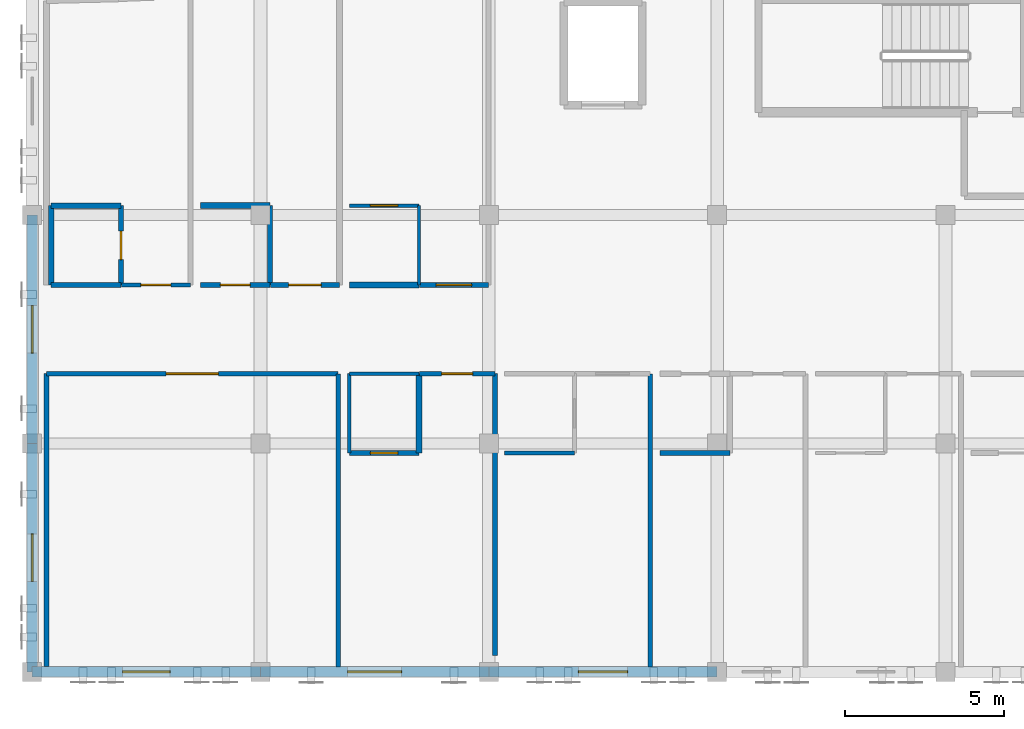
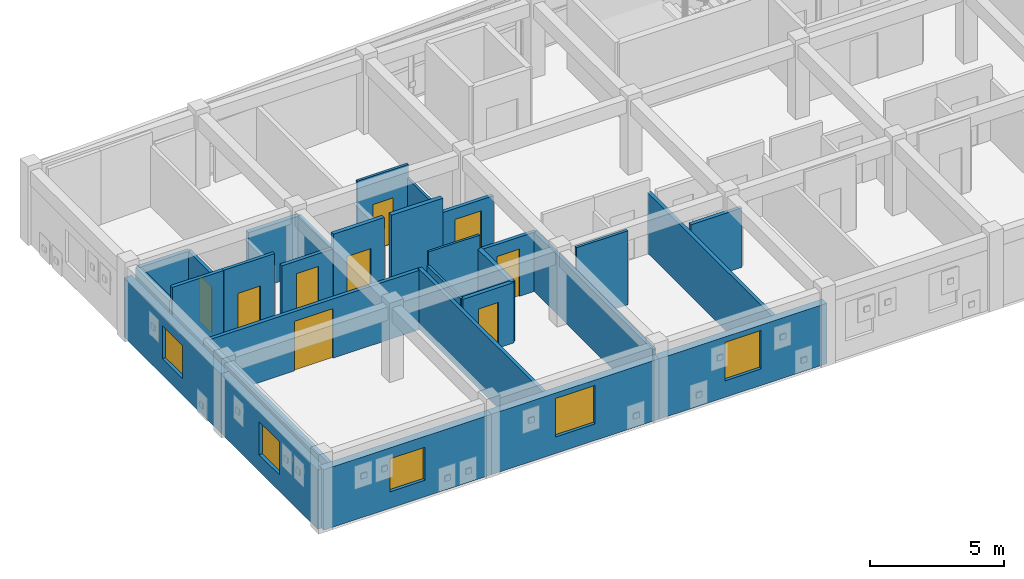
# One storey, part 33 of 45: 30 walls, 9 doors, 5 windows, 14 openings.
"""IFC4 building model written with IfcOpenShell, lengths in metres."""

from ifc_helpers import new_model, si_unit, direction, frame, frame_2d, origin, place, context, subcontext, project, spatial, rectangle, extrude, material, layer, layer_set, type_object, element, fill, save


model = new_model("IFC4")

# Units and contexts
model_context = context("Model", 3, precision=1e-05, world=origin(), true_north=direction((0.0, 1.0)))
body_context = subcontext(model_context, "Body", "Model", "MODEL_VIEW")
ifc_project = project(units=[si_unit("LENGTHUNIT", "METRE"), si_unit("AREAUNIT", "SQUARE_METRE"), si_unit("VOLUMEUNIT", "CUBIC_METRE"), si_unit("PLANEANGLEUNIT", "RADIAN"), si_unit("MASSUNIT", "GRAM", prefix="KILO")], contexts=[model_context])

# Site, building, storey
site_placement = place(None, origin())
site = spatial("IfcSite", under=ifc_project, at=site_placement, CompositionType="ELEMENT")
building_placement = place(site_placement, origin())
building = spatial("IfcBuilding", under=site, at=building_placement, Name="Carrowvane Square Congress Hotel", CompositionType="ELEMENT")
storey_placement = place(building_placement, frame((0.0, 0.0, 33.60009765625)))
storey = spatial("IfcBuildingStorey", under=building, at=storey_placement, Name="L08", CompositionType="ELEMENT", Elevation=33.60009765625)

# Wall, opening, window
ifc_material_1 = material(Name="Glazed terracotta rainscreen", Category="masonry")
ifc_layer_1 = layer(ifc_material_1, 0.330078125)
ifc_layer_set_1 = layer_set([ifc_layer_1], Name="Glazed terracotta rainscreen")
wall_type_1 = type_object("IfcWallType", Name="WL-EXT-TC330", PredefinedType="STANDARD", material=ifc_layer_set_1)
wall_1_placement = place(storey_placement, frame((54.800048828125, 91.800048828125, 0.0), z_axis=(0.0, 0.0, 1.0), x_axis=(-1.0, 0.0, 0.0)))
wall_1 = element("IfcWall", 1, at=wall_1_placement, inside=storey, type_object=wall_type_1, Name="L08 exterior facade wall 554", PredefinedType="STANDARD", context=body_context, shape_type="SweptSolid", body=[
    extrude(rectangle(XDim=7.199951171875, YDim=0.330078125, at=frame_2d((3.60009765625, 0.0))), origin(), (0.0, 0.0, 1.0), 2.744873046875),
])
opening_1_placement = place(wall_1_placement, frame((2.824951171875, 0.0, 0.75)))
opening_1 = element("IfcOpeningElement", 2, at=opening_1_placement, cuts=wall_1, Name="Opening W-23", PredefinedType="OPENING", context=body_context, shape_type="SweptSolid", body=[
    extrude(rectangle(XDim=1.550048828125, YDim=1.75, at=frame_2d((0.77490234375, 0.875))), frame((0.0, 0.175048828125, 0.0), z_axis=(0.0, -1.0, 0.0), x_axis=(1.0, 0.0, 0.0)), (0.0, 0.0, 1.0), 0.35009765625),
])
ifc_material_2 = material(Name="Double-glazed low-E glass", Category="glass")
window_type_1 = type_object("IfcWindowType", Name="WIN-23", PartitioningType="SINGLE_PANEL", PredefinedType="WINDOW", material=ifc_material_2)
window_1_placement = place(opening_1_placement, origin())
window_1 = element("IfcWindow", 3, at=window_1_placement, inside=storey, type_object=window_type_1, Name="L08 facade window 402", OverallHeight=1.75, OverallWidth=1.550048828125, PartitioningType="SINGLE_PANEL", PredefinedType="WINDOW", context=body_context, shape_type="SweptSolid", body=[
    extrude(rectangle(XDim=1.550048828125, YDim=1.75, at=frame_2d((0.77490234375, 0.875))), frame((0.0, 0.030029296875, 0.0), z_axis=(0.0, -1.0, 0.0), x_axis=(1.0, 0.0, 0.0)), (0.0, 0.0, 1.0), 0.06005859375),
])
fill(opening_1, window_1)

wall_2_placement = place(storey_placement, frame((47.60009765625, 91.800048828125, 0.0), z_axis=(0.0, 0.0, 1.0), x_axis=(-1.0, 0.0, 0.0)))
wall_2 = element("IfcWall", 4, at=wall_2_placement, inside=storey, type_object=wall_type_1, Name="L08 exterior facade wall 555", PredefinedType="STANDARD", context=body_context, shape_type="SweptSolid", body=[
    extrude(rectangle(XDim=7.2001953125, YDim=0.330078125, at=frame_2d((3.60009765625, 0.0))), origin(), (0.0, 0.0, 1.0), 2.744873046875),
])
opening_2_placement = place(wall_2_placement, frame((2.75, 0.0, 0.75)))
opening_2 = element("IfcOpeningElement", 5, at=opening_2_placement, cuts=wall_2, Name="Opening W-24", PredefinedType="OPENING", context=body_context, shape_type="SweptSolid", body=[
    extrude(rectangle(XDim=1.699951171875, YDim=1.75, at=frame_2d((0.85009765625, 0.875))), frame((0.0, 0.175048828125, 0.0), z_axis=(0.0, -1.0, 0.0), x_axis=(1.0, 0.0, 0.0)), (0.0, 0.0, 1.0), 0.35009765625),
])
ifc_material_3 = material(Name="Double-glazed low-E glass", Category="glass")
window_type_2 = type_object("IfcWindowType", Name="WIN-24", PartitioningType="SINGLE_PANEL", PredefinedType="WINDOW", material=ifc_material_3)
window_2_placement = place(opening_2_placement, origin())
window_2 = element("IfcWindow", 6, at=window_2_placement, inside=storey, type_object=window_type_2, Name="L08 facade window 403", OverallHeight=1.75, OverallWidth=1.699951171875, PartitioningType="SINGLE_PANEL", PredefinedType="WINDOW", context=body_context, shape_type="SweptSolid", body=[
    extrude(rectangle(XDim=1.699951171875, YDim=1.75, at=frame_2d((0.85009765625, 0.875))), frame((0.0, 0.030029296875, 0.0), z_axis=(0.0, -1.0, 0.0), x_axis=(1.0, 0.0, 0.0)), (0.0, 0.0, 1.0), 0.06005859375),
])
fill(opening_2, window_2)

wall_3_placement = place(storey_placement, frame((40.39990234375, 91.800048828125, 0.0), z_axis=(0.0, 0.0, 1.0), x_axis=(-1.0, 0.0, 0.0)))
wall_3 = element("IfcWall", 7, at=wall_3_placement, inside=storey, type_object=wall_type_1, Name="L08 exterior facade wall 556", PredefinedType="STANDARD", context=body_context, shape_type="SweptSolid", body=[
    extrude(rectangle(XDim=7.199951171875, YDim=0.330078125, at=frame_2d((3.60009765625, 0.0))), origin(), (0.0, 0.0, 1.0), 2.744873046875),
])
opening_3_placement = place(wall_3_placement, frame((2.85009765625, 0.0, 0.75)))
opening_3 = element("IfcOpeningElement", 8, at=opening_3_placement, cuts=wall_3, Name="Opening W-15", PredefinedType="OPENING", context=body_context, shape_type="SweptSolid", body=[
    extrude(rectangle(XDim=1.5, YDim=1.5, at=frame_2d((0.75, 0.75))), frame((0.0, 0.175048828125, 0.0), z_axis=(0.0, -1.0, 0.0), x_axis=(1.0, 0.0, 0.0)), (0.0, 0.0, 1.0), 0.35009765625),
])
ifc_material_4 = material(Name="Double-glazed low-E glass", Category="glass")
window_type_3 = type_object("IfcWindowType", Name="WIN-15", PartitioningType="SINGLE_PANEL", PredefinedType="WINDOW", material=ifc_material_4)
window_3_placement = place(opening_3_placement, origin())
window_3 = element("IfcWindow", 9, at=window_3_placement, inside=storey, type_object=window_type_3, Name="L08 facade window 404", OverallHeight=1.5, OverallWidth=1.5, PartitioningType="SINGLE_PANEL", PredefinedType="WINDOW", context=body_context, shape_type="SweptSolid", body=[
    extrude(rectangle(XDim=1.5, YDim=1.5, at=frame_2d((0.75, 0.75))), frame((0.0, 0.030029296875, 0.0), z_axis=(0.0, -1.0, 0.0), x_axis=(1.0, 0.0, 0.0)), (0.0, 0.0, 1.0), 0.06005859375),
])
fill(opening_3, window_3)

wall_4_placement = place(storey_placement, frame((33.199951171875, 91.800048828125, 0.0), z_axis=(0.0, 0.0, 1.0), x_axis=(0.0, 1.0, 0.0)))
wall_4 = element("IfcWall", 10, at=wall_4_placement, inside=storey, type_object=wall_type_1, Name="L08 exterior facade wall 557", PredefinedType="STANDARD", context=body_context, shape_type="SweptSolid", body=[
    extrude(rectangle(XDim=7.199951171875, YDim=0.330078125, at=frame_2d((3.60009765625, 0.0))), origin(), (0.0, 0.0, 1.0), 2.69482421875),
])
opening_4_placement = place(wall_4_placement, frame((2.85009765625, 0.0, 0.75)))
opening_4 = element("IfcOpeningElement", 11, at=opening_4_placement, cuts=wall_4, Name="Opening W-15", PredefinedType="OPENING", context=body_context, shape_type="SweptSolid", body=[
    extrude(rectangle(XDim=1.5, YDim=1.5, at=frame_2d((0.75, 0.75))), frame((0.0, 0.175048828125, 0.0), z_axis=(0.0, -1.0, 0.0), x_axis=(1.0, 0.0, 0.0)), (0.0, 0.0, 1.0), 0.35009765625),
])
window_4_placement = place(opening_4_placement, origin())
window_4 = element("IfcWindow", 12, at=window_4_placement, inside=storey, type_object=window_type_3, Name="L08 facade window 405", OverallHeight=1.5, OverallWidth=1.5, PartitioningType="SINGLE_PANEL", PredefinedType="WINDOW", context=body_context, shape_type="SweptSolid", body=[
    extrude(rectangle(XDim=1.5, YDim=1.5, at=frame_2d((0.75, 0.75))), frame((0.0, 0.030029296875, 0.0), z_axis=(0.0, -1.0, 0.0), x_axis=(1.0, 0.0, 0.0)), (0.0, 0.0, 1.0), 0.06005859375),
])
fill(opening_4, window_4)

wall_5_placement = place(storey_placement, frame((33.199951171875, 99.0, 0.0), z_axis=(0.0, 0.0, 1.0), x_axis=(0.0, 1.0, 0.0)))
wall_5 = element("IfcWall", 13, at=wall_5_placement, inside=storey, type_object=wall_type_1, Name="L08 exterior facade wall 558", PredefinedType="STANDARD", context=body_context, shape_type="SweptSolid", body=[
    extrude(rectangle(XDim=7.199951171875, YDim=0.330078125, at=frame_2d((3.60009765625, 0.0))), origin(), (0.0, 0.0, 1.0), 2.69482421875),
])
opening_5_placement = place(wall_5_placement, frame((2.85009765625, 0.0, 0.75)))
opening_5 = element("IfcOpeningElement", 14, at=opening_5_placement, cuts=wall_5, Name="Opening W-15", PredefinedType="OPENING", context=body_context, shape_type="SweptSolid", body=[
    extrude(rectangle(XDim=1.5, YDim=1.5, at=frame_2d((0.75, 0.75))), frame((0.0, 0.175048828125, 0.0), z_axis=(0.0, -1.0, 0.0), x_axis=(1.0, 0.0, 0.0)), (0.0, 0.0, 1.0), 0.35009765625),
])
window_5_placement = place(opening_5_placement, origin())
window_5 = element("IfcWindow", 15, at=window_5_placement, inside=storey, type_object=window_type_3, Name="L08 facade window 406", OverallHeight=1.5, OverallWidth=1.5, PartitioningType="SINGLE_PANEL", PredefinedType="WINDOW", context=body_context, shape_type="SweptSolid", body=[
    extrude(rectangle(XDim=1.5, YDim=1.5, at=frame_2d((0.75, 0.75))), frame((0.0, 0.030029296875, 0.0), z_axis=(0.0, -1.0, 0.0), x_axis=(1.0, 0.0, 0.0)), (0.0, 0.0, 1.0), 0.06005859375),
])
fill(opening_5, window_5)

# Wall, opening, door
ifc_material_5 = material(Name="Acoustic gypsum board", Category="gypsum")
ifc_layer_2 = layer(ifc_material_5, 0.155029296875)
ifc_layer_set_2 = layer_set([ifc_layer_2], Name="Acoustic gypsum board")
wall_type_2 = type_object("IfcWallType", Name="WL-FIR-155", PredefinedType="PARTITIONING", material=ifc_layer_set_2)
wall_6_placement = place(storey_placement, frame((33.64990234375, 101.199951171875, 0.0), z_axis=(0.0, 0.0, 1.0), x_axis=(1.0, 0.0, 0.0)))
wall_6 = element("IfcWall", 16, at=wall_6_placement, inside=storey, type_object=wall_type_2, Name="L08 L08 West Club Salon partition", PredefinedType="PARTITIONING", context=body_context, shape_type="SweptSolid", body=[
    extrude(rectangle(XDim=9.2001953125, YDim=0.155029296875, at=frame_2d((4.60009765625, 0.0))), origin(), (0.0, 0.0, 1.0), 2.69482421875),
])
opening_6_placement = place(wall_6_placement, frame((3.77490234375, 0.0, 0.0)))
opening_6 = element("IfcOpeningElement", 17, at=opening_6_placement, cuts=wall_6, Name="Opening ID-12", PredefinedType="OPENING", context=body_context, shape_type="SweptSolid", body=[
    extrude(rectangle(XDim=1.64990234375, YDim=2.25, at=frame_2d((0.824951171875, 1.125))), frame((0.0, 0.08740234375, 0.0), z_axis=(0.0, -1.0, 0.0), x_axis=(1.0, 0.0, 0.0)), (0.0, 0.0, 1.0), 0.175048828125),
])
ifc_material_6 = material(Name="European oak timber", Category="wood")
door_type_1 = type_object("IfcDoorType", Name="DR-INT-1650x2250", OperationType="DOUBLE_DOOR_SINGLE_SWING", PredefinedType="DOOR", material=ifc_material_6)
door_1_placement = place(opening_6_placement, origin())
door_1 = element("IfcDoor", 18, at=door_1_placement, inside=storey, type_object=door_type_1, Name="L08 L08 West Club Salon entrance door", OperationType="DOUBLE_DOOR_SINGLE_SWING", OverallHeight=2.25, OverallWidth=1.64990234375, PredefinedType="DOOR", context=body_context, shape_type="SweptSolid", body=[
    extrude(rectangle(XDim=1.64990234375, YDim=2.25, at=frame_2d((0.824951171875, 1.125))), frame((0.0, 0.02490234375, 0.0), z_axis=(0.0, -1.0, 0.0), x_axis=(1.0, 0.0, 0.0)), (0.0, 0.0, 1.0), 0.050048828125),
])
fill(opening_6, door_1)

# Walls
wall_7_placement = place(storey_placement, frame((47.7900390625, 101.199951171875, 0.0), z_axis=(0.0, 0.0, 1.0), x_axis=(0.0, -1.0, 0.0)))
element("IfcWall", 19, at=wall_7_placement, inside=storey, type_object=wall_type_2, Name="L08 Hotel Guest Bedroom 0801 partition", PredefinedType="PARTITIONING", context=body_context, shape_type="SweptSolid", body=[
    extrude(rectangle(XDim=8.8798828125, YDim=0.155029296875, at=frame_2d((4.43994140625, 0.0))), origin(), (0.0, 0.0, 1.0), 2.69482421875),
])
wall_8_placement = place(storey_placement, frame((52.68994140625, 101.199951171875, 0.0), z_axis=(0.0, 0.0, 1.0), x_axis=(0.0, -1.0, 0.0)))
element("IfcWall", 20, at=wall_8_placement, inside=storey, type_object=wall_type_2, Name="L08 Hotel Guest Bedroom 0802 partition", PredefinedType="PARTITIONING", context=body_context, shape_type="SweptSolid", body=[
    extrude(rectangle(XDim=9.239990234375, YDim=0.155029296875, at=frame_2d((4.6201171875, 0.0))), origin(), (0.0, 0.0, 1.0), 2.744873046875),
])
wall_9_placement = place(storey_placement, frame((55.199951171875, 98.699951171875, 0.0), z_axis=(0.0, 0.0, 1.0), x_axis=(-1.0, 0.0, 0.0)))
element("IfcWall", 21, at=wall_9_placement, inside=storey, type_object=wall_type_2, Name="L08 En-suite Bathroom 0803 partition", PredefinedType="PARTITIONING", context=body_context, shape_type="SweptSolid", body=[
    extrude(rectangle(XDim=2.199951171875, YDim=0.155029296875, at=frame_2d((1.10009765625, 0.0))), origin(), (0.0, 0.0, 1.0), 2.69482421875),
])

# Wall, opening, door
wall_10_placement = place(storey_placement, frame((36.0, 106.5, 0.0), z_axis=(0.0, 0.0, 1.0), x_axis=(0.0, -1.0, 0.0)))
wall_10 = element("IfcWall", 22, at=wall_10_placement, inside=storey, type_object=wall_type_2, Name="L08 En-suite Bathroom 0808 partition", PredefinedType="PARTITIONING", context=body_context, shape_type="SweptSolid", body=[
    extrude(rectangle(XDim=2.5, YDim=0.155029296875, at=frame_2d((1.25, 0.0))), origin(), (0.0, 0.0, 1.0), 2.744873046875),
])
opening_7_placement = place(wall_10_placement, frame((0.800048828125, 0.0, 0.0)))
opening_7 = element("IfcOpeningElement", 23, at=opening_7_placement, cuts=wall_10, Name="Opening ID-02", PredefinedType="OPENING", context=body_context, shape_type="SweptSolid", body=[
    extrude(rectangle(XDim=0.89990234375, YDim=2.080078125, at=frame_2d((0.449951171875, 1.0400390625))), frame((0.0, 0.08740234375, 0.0), z_axis=(0.0, -1.0, 0.0), x_axis=(1.0, 0.0, 0.0)), (0.0, 0.0, 1.0), 0.175048828125),
])
ifc_material_7 = material(Name="European oak timber", Category="wood")
door_type_2 = type_object("IfcDoorType", Name="DR-INT-0900x2080", OperationType="NOTDEFINED", PredefinedType="DOOR", material=ifc_material_7)
door_2_placement = place(opening_7_placement, origin())
door_2 = element("IfcDoor", 24, at=door_2_placement, inside=storey, type_object=door_type_2, Name="L08 En-suite Bathroom 0808 door", OperationType="SINGLE_SWING_LEFT", OverallHeight=2.080078125, OverallWidth=0.89990234375, PredefinedType="DOOR", context=body_context, shape_type="SweptSolid", body=[
    extrude(rectangle(XDim=0.89990234375, YDim=2.080078125, at=frame_2d((0.449951171875, 1.0400390625))), frame((0.0, 0.02490234375, 0.0), z_axis=(0.0, -1.0, 0.0), x_axis=(1.0, 0.0, 0.0)), (0.0, 0.0, 1.0), 0.050048828125),
])
fill(opening_7, door_2)

wall_11_placement = place(storey_placement, frame((40.699951171875, 104.0, 0.0), z_axis=(0.0, 0.0, 1.0), x_axis=(-1.0, 0.0, 0.0)))
wall_11 = element("IfcWall", 25, at=wall_11_placement, inside=storey, type_object=wall_type_2, Name="L08 En-suite Bathroom 0809 partition", PredefinedType="PARTITIONING", context=body_context, shape_type="SweptSolid", body=[
    extrude(rectangle(XDim=2.199951171875, YDim=0.155029296875, at=frame_2d((1.10009765625, 0.0))), origin(), (0.0, 0.0, 1.0), 2.69482421875),
])
opening_8_placement = place(wall_11_placement, frame((0.6298828125, 0.0, 0.0)))
opening_8 = element("IfcOpeningElement", 26, at=opening_8_placement, cuts=wall_11, Name="Opening ID-04", PredefinedType="OPENING", context=body_context, shape_type="SweptSolid", body=[
    extrude(rectangle(XDim=0.93994140625, YDim=2.1201171875, at=frame_2d((0.469970703125, 1.06005859375))), frame((0.0, 0.08740234375, 0.0), z_axis=(0.0, -1.0, 0.0), x_axis=(1.0, 0.0, 0.0)), (0.0, 0.0, 1.0), 0.175048828125),
])
ifc_material_8 = material(Name="European oak timber", Category="wood")
door_type_3 = type_object("IfcDoorType", Name="DR-INT-0940x2120", OperationType="NOTDEFINED", PredefinedType="DOOR", material=ifc_material_8)
door_3_placement = place(opening_8_placement, origin())
door_3 = element("IfcDoor", 27, at=door_3_placement, inside=storey, type_object=door_type_3, Name="L08 En-suite Bathroom 0809 door", OperationType="SINGLE_SWING_LEFT", OverallHeight=2.1201171875, OverallWidth=0.93994140625, PredefinedType="DOOR", context=body_context, shape_type="SweptSolid", body=[
    extrude(rectangle(XDim=0.93994140625, YDim=2.1201171875, at=frame_2d((0.469970703125, 1.06005859375))), frame((0.0, 0.02490234375, 0.0), z_axis=(0.0, -1.0, 0.0), x_axis=(1.0, 0.0, 0.0)), (0.0, 0.0, 1.0), 0.050048828125),
])
fill(opening_8, door_3)

wall_12_placement = place(storey_placement, frame((47.590087890625, 104.0, 0.0), z_axis=(0.0, 0.0, 1.0), x_axis=(-1.0, 0.0, 0.0)))
wall_12 = element("IfcWall", 28, at=wall_12_placement, inside=storey, type_object=wall_type_2, Name="L08 Parkview Guest Bedroom 0810 partition", PredefinedType="PARTITIONING", context=body_context, shape_type="SweptSolid", body=[
    extrude(rectangle(XDim=2.18017578125, YDim=0.155029296875, at=frame_2d((1.090087890625, 0.0))), origin(), (0.0, 0.0, 1.0), 2.69482421875),
])
opening_9_placement = place(wall_12_placement, frame((0.530029296875, 0.0, 0.0)))
opening_9 = element("IfcOpeningElement", 29, at=opening_9_placement, cuts=wall_12, Name="Opening FD-10", PredefinedType="OPENING", context=body_context, shape_type="SweptSolid", body=[
    extrude(rectangle(XDim=1.1201171875, YDim=2.199951171875, at=frame_2d((0.56005859375, 1.10009765625))), frame((0.0, 0.08740234375, 0.0), z_axis=(0.0, -1.0, 0.0), x_axis=(1.0, 0.0, 0.0)), (0.0, 0.0, 1.0), 0.175048828125),
])
ifc_material_9 = material(Name="European oak timber", Category="wood")
door_type_4 = type_object("IfcDoorType", Name="DR-FD30-1120x2200", OperationType="NOTDEFINED", PredefinedType="DOOR", material=ifc_material_9)
door_4_placement = place(opening_9_placement, origin())
door_4 = element("IfcDoor", 30, at=door_4_placement, inside=storey, type_object=door_type_4, Name="L08 Parkview Guest Bedroom 0810 entrance door", OperationType="SINGLE_SWING_RIGHT", OverallHeight=2.199951171875, OverallWidth=1.1201171875, PredefinedType="DOOR", context=body_context, shape_type="SweptSolid", body=[
    extrude(rectangle(XDim=1.1201171875, YDim=2.199951171875, at=frame_2d((0.56005859375, 1.10009765625))), frame((0.0, 0.02490234375, 0.0), z_axis=(0.0, -1.0, 0.0), x_axis=(1.0, 0.0, 0.0)), (0.0, 0.0, 1.0), 0.050048828125),
])
fill(opening_9, door_4)

# Wall
ifc_material_10 = material(Name="Acoustic gypsum board", Category="gypsum")
ifc_layer_3 = layer(ifc_material_10, 0.169921875)
ifc_layer_set_3 = layer_set([ifc_layer_3], Name="Acoustic gypsum board")
wall_type_3 = type_object("IfcWallType", Name="WL-FIR-170", PredefinedType="PARTITIONING", material=ifc_layer_set_3)
wall_13_placement = place(storey_placement, frame((33.64990234375, 91.9599609375, 0.0), z_axis=(0.0, 0.0, 1.0), x_axis=(0.0, 1.0, 0.0)))
element("IfcWall", 31, at=wall_13_placement, inside=storey, type_object=wall_type_3, Name="L08 L08 West Club Salon partition", PredefinedType="PARTITIONING", context=body_context, shape_type="SweptSolid", body=[
    extrude(rectangle(XDim=9.239990234375, YDim=0.169921875, at=frame_2d((4.6201171875, 0.0))), origin(), (0.0, 0.0, 1.0), 2.744873046875),
])

# Wall, opening, door
wall_14_placement = place(storey_placement, frame((45.39990234375, 98.699951171875, 0.0), z_axis=(0.0, 0.0, 1.0), x_axis=(-1.0, 0.0, 0.0)))
wall_14 = element("IfcWall", 32, at=wall_14_placement, inside=storey, type_object=wall_type_3, Name="L08 En-suite Bathroom 0801 partition", PredefinedType="PARTITIONING", context=body_context, shape_type="SweptSolid", body=[
    extrude(rectangle(XDim=2.199951171875, YDim=0.169921875, at=frame_2d((1.10009765625, 0.0))), origin(), (0.0, 0.0, 1.0), 2.744873046875),
])
opening_10_placement = place(wall_14_placement, frame((0.6650390625, 0.0, 0.0)))
opening_10 = element("IfcOpeningElement", 33, at=opening_10_placement, cuts=wall_14, Name="Opening ID-15", PredefinedType="OPENING", context=body_context, shape_type="SweptSolid", body=[
    extrude(rectangle(XDim=0.8701171875, YDim=2.070068359375, at=frame_2d((0.43505859375, 1.03515625))), frame((0.0, 0.094970703125, 0.0), z_axis=(0.0, -1.0, 0.0), x_axis=(1.0, 0.0, 0.0)), (0.0, 0.0, 1.0), 0.18994140625),
])
ifc_material_11 = material(Name="European oak timber", Category="wood")
door_type_5 = type_object("IfcDoorType", Name="DR-INT-0870x2070", OperationType="NOTDEFINED", PredefinedType="DOOR", material=ifc_material_11)
door_5_placement = place(opening_10_placement, origin())
door_5 = element("IfcDoor", 34, at=door_5_placement, inside=storey, type_object=door_type_5, Name="L08 En-suite Bathroom 0801 door", OperationType="SINGLE_SWING_LEFT", OverallHeight=2.070068359375, OverallWidth=0.8701171875, PredefinedType="DOOR", context=body_context, shape_type="SweptSolid", body=[
    extrude(rectangle(XDim=0.8701171875, YDim=2.070068359375, at=frame_2d((0.43505859375, 1.03515625))), frame((0.0, 0.02490234375, 0.0), z_axis=(0.0, -1.0, 0.0), x_axis=(1.0, 0.0, 0.0)), (0.0, 0.0, 1.0), 0.050048828125),
])
fill(opening_10, door_5)

# Walls
wall_15_placement = place(storey_placement, frame((33.800048828125, 106.5, 0.0), z_axis=(0.0, 0.0, 1.0), x_axis=(1.0, 0.0, 0.0)))
element("IfcWall", 35, at=wall_15_placement, inside=storey, type_object=wall_type_3, Name="L08 En-suite Bathroom 0808 partition", PredefinedType="PARTITIONING", context=body_context, shape_type="SweptSolid", body=[
    extrude(rectangle(XDim=2.199951171875, YDim=0.169921875, at=frame_2d((1.10009765625, 0.0))), origin(), (0.0, 0.0, 1.0), 2.744873046875),
])
wall_16_placement = place(storey_placement, frame((40.699951171875, 106.5, 0.0), z_axis=(0.0, 0.0, 1.0), x_axis=(0.0, -1.0, 0.0)))
element("IfcWall", 36, at=wall_16_placement, inside=storey, type_object=wall_type_3, Name="L08 En-suite Bathroom 0809 partition", PredefinedType="PARTITIONING", context=body_context, shape_type="SweptSolid", body=[
    extrude(rectangle(XDim=2.5, YDim=0.169921875, at=frame_2d((1.25, 0.0))), origin(), (0.0, 0.0, 1.0), 2.69482421875),
])

# Wall, opening, door
wall_17_placement = place(storey_placement, frame((42.889892578125, 104.0, 0.0), z_axis=(0.0, 0.0, 1.0), x_axis=(-1.0, 0.0, 0.0)))
wall_17 = element("IfcWall", 37, at=wall_17_placement, inside=storey, type_object=wall_type_3, Name="L08 Parkview Guest Bedroom 0809 partition", PredefinedType="PARTITIONING", context=body_context, shape_type="SweptSolid", body=[
    extrude(rectangle(XDim=2.179931640625, YDim=0.169921875, at=frame_2d((1.08984375, 0.0))), origin(), (0.0, 0.0, 1.0), 3.35986328125),
])
opening_11_placement = place(wall_17_placement, frame((0.580078125, 0.0, 0.0)))
opening_11 = element("IfcOpeningElement", 38, at=opening_11_placement, cuts=wall_17, Name="Opening FD-08", PredefinedType="OPENING", context=body_context, shape_type="SweptSolid", body=[
    extrude(rectangle(XDim=1.02001953125, YDim=2.14990234375, at=frame_2d((0.510009765625, 1.074951171875))), frame((0.0, 0.094970703125, 0.0), z_axis=(0.0, -1.0, 0.0), x_axis=(1.0, 0.0, 0.0)), (0.0, 0.0, 1.0), 0.18994140625),
])
ifc_material_12 = material(Name="European oak timber", Category="wood")
door_type_6 = type_object("IfcDoorType", Name="DR-FD30-1020x2150", OperationType="NOTDEFINED", PredefinedType="DOOR", material=ifc_material_12)
door_6_placement = place(opening_11_placement, origin())
door_6 = element("IfcDoor", 39, at=door_6_placement, inside=storey, type_object=door_type_6, Name="L08 Parkview Guest Bedroom 0809 entrance door", OperationType="SINGLE_SWING_RIGHT", OverallHeight=2.14990234375, OverallWidth=1.02001953125, PredefinedType="DOOR", context=body_context, shape_type="SweptSolid", body=[
    extrude(rectangle(XDim=1.02001953125, YDim=2.14990234375, at=frame_2d((0.510009765625, 1.074951171875))), frame((0.0, 0.02490234375, 0.0), z_axis=(0.0, -1.0, 0.0), x_axis=(1.0, 0.0, 0.0)), (0.0, 0.0, 1.0), 0.050048828125),
])
fill(opening_11, door_6)

# Walls
ifc_material_13 = material(Name="Acoustic gypsum board", Category="gypsum")
ifc_layer_4 = layer(ifc_material_13, 0.18505859375)
ifc_layer_set_4 = layer_set([ifc_layer_4], Name="Acoustic gypsum board")
wall_type_4 = type_object("IfcWallType", Name="WL-FIR-185", PredefinedType="PARTITIONING", material=ifc_layer_set_4)
for number, where, z_axis, x_axis, name in (
    (40, (45.39990234375, 101.199951171875, 0.0), (0.0, 0.0, 1.0), (0.0, -1.0, 0.0), "L08 En-suite Bathroom 0801 partition"),
    (41, (33.800048828125, 104.0, 0.0), (0.0, 0.0, 1.0), (0.0, 1.0, 0.0), "L08 En-suite Bathroom 0808 partition"),
):
    element("IfcWall", number, at=place(storey_placement, frame(where, z_axis=z_axis, x_axis=x_axis)), inside=storey, type_object=wall_type_4, Name=name, PredefinedType="PARTITIONING", context=body_context, shape_type="SweptSolid", body=[
        extrude(rectangle(XDim=2.5, YDim=0.18505859375, at=frame_2d((1.25, 0.0))), origin(), (0.0, 0.0, 1.0), 2.744873046875),
    ])
wall_18_placement = place(storey_placement, frame((38.5, 106.5, 0.0), z_axis=(0.0, 0.0, 1.0), x_axis=(1.0, 0.0, 0.0)))
element("IfcWall", 42, at=wall_18_placement, inside=storey, type_object=wall_type_4, Name="L08 En-suite Bathroom 0809 partition", PredefinedType="PARTITIONING", context=body_context, shape_type="SweptSolid", body=[
    extrude(rectangle(XDim=2.199951171875, YDim=0.18505859375, at=frame_2d((1.10009765625, 0.0))), origin(), (0.0, 0.0, 1.0), 2.69482421875),
])
wall_19_placement = place(storey_placement, frame((45.39990234375, 104.0, 0.0), z_axis=(0.0, 0.0, 1.0), x_axis=(-1.0, 0.0, 0.0)))
element("IfcWall", 43, at=wall_19_placement, inside=storey, type_object=wall_type_4, Name="L08 En-suite Bathroom 0810 partition", PredefinedType="PARTITIONING", context=body_context, shape_type="SweptSolid", body=[
    extrude(rectangle(XDim=2.199951171875, YDim=0.18505859375, at=frame_2d((1.10009765625, 0.0))), origin(), (0.0, 0.0, 1.0), 3.35986328125),
])
ifc_material_14 = material(Name="Acoustic gypsum board", Category="gypsum")
ifc_layer_5 = layer(ifc_material_14, 0.097900390625)
ifc_layer_set_5 = layer_set([ifc_layer_5], Name="Acoustic gypsum board")
wall_type_5 = type_object("IfcWallType", Name="WL-PRT-098", PredefinedType="PARTITIONING", material=ifc_layer_set_5)
wall_20_placement = place(storey_placement, frame((43.199951171875, 101.199951171875, 0.0), z_axis=(0.0, 0.0, 1.0), x_axis=(1.0, 0.0, 0.0)))
element("IfcWall", 44, at=wall_20_placement, inside=storey, type_object=wall_type_5, Name="L08 En-suite Bathroom 0801 partition", PredefinedType="PARTITIONING", context=body_context, shape_type="SweptSolid", body=[
    extrude(rectangle(XDim=2.199951171875, YDim=0.097900390625, at=frame_2d((1.10009765625, 0.0))), origin(), (0.0, 0.0, 1.0), 3.35986328125),
])
wall_21_placement = place(storey_placement, frame((45.39990234375, 106.5, 0.0), z_axis=(0.0, 0.0, 1.0), x_axis=(0.0, -1.0, 0.0)))
element("IfcWall", 45, at=wall_21_placement, inside=storey, type_object=wall_type_5, Name="L08 En-suite Bathroom 0810 partition", PredefinedType="PARTITIONING", context=body_context, shape_type="SweptSolid", body=[
    extrude(rectangle(XDim=2.5, YDim=0.097900390625, at=frame_2d((1.25, 0.0))), origin(), (0.0, 0.0, 1.0), 2.744873046875),
])
ifc_material_15 = material(Name="Acoustic gypsum board", Category="gypsum")
ifc_layer_6 = layer(ifc_material_15, 0.10791015625)
ifc_layer_set_6 = layer_set([ifc_layer_6], Name="Acoustic gypsum board")
wall_type_6 = type_object("IfcWallType", Name="WL-PRT-108", PredefinedType="PARTITIONING", material=ifc_layer_set_6)
wall_22_placement = place(storey_placement, frame((43.199951171875, 98.699951171875, 0.0), z_axis=(0.0, 0.0, 1.0), x_axis=(0.0, 1.0, 0.0)))
element("IfcWall", 46, at=wall_22_placement, inside=storey, type_object=wall_type_6, Name="L08 En-suite Bathroom 0801 partition", PredefinedType="PARTITIONING", context=body_context, shape_type="SweptSolid", body=[
    extrude(rectangle(XDim=2.5, YDim=0.10791015625, at=frame_2d((1.25, 0.0))), origin(), (0.0, 0.0, 1.0), 2.744873046875),
])

# Wall, opening, door
wall_23_placement = place(storey_placement, frame((43.199951171875, 106.5, 0.0), z_axis=(0.0, 0.0, 1.0), x_axis=(1.0, 0.0, 0.0)))
wall_23 = element("IfcWall", 47, at=wall_23_placement, inside=storey, type_object=wall_type_6, Name="L08 En-suite Bathroom 0810 partition", PredefinedType="PARTITIONING", context=body_context, shape_type="SweptSolid", body=[
    extrude(rectangle(XDim=2.199951171875, YDim=0.10791015625, at=frame_2d((1.10009765625, 0.0))), origin(), (0.0, 0.0, 1.0), 3.35986328125),
])
opening_12_placement = place(wall_23_placement, frame((0.6650390625, 0.0, 0.0)))
opening_12 = element("IfcOpeningElement", 48, at=opening_12_placement, cuts=wall_23, Name="Opening ID-15", PredefinedType="OPENING", context=body_context, shape_type="SweptSolid", body=[
    extrude(rectangle(XDim=0.8701171875, YDim=2.070068359375, at=frame_2d((0.43505859375, 1.03515625))), frame((0.0, 0.06396484375, 0.0), z_axis=(0.0, -1.0, 0.0), x_axis=(1.0, 0.0, 0.0)), (0.0, 0.0, 1.0), 0.1279296875),
])
door_7_placement = place(opening_12_placement, origin())
door_7 = element("IfcDoor", 49, at=door_7_placement, inside=storey, type_object=door_type_5, Name="L08 En-suite Bathroom 0810 door", OperationType="SINGLE_SWING_LEFT", OverallHeight=2.070068359375, OverallWidth=0.8701171875, PredefinedType="DOOR", context=body_context, shape_type="SweptSolid", body=[
    extrude(rectangle(XDim=0.8701171875, YDim=2.070068359375, at=frame_2d((0.43505859375, 1.03515625))), frame((0.0, 0.02490234375, 0.0), z_axis=(0.0, -1.0, 0.0), x_axis=(1.0, 0.0, 0.0)), (0.0, 0.0, 1.0), 0.050048828125),
])
fill(opening_12, door_7)

# Wall
ifc_material_16 = material(Name="Acoustic gypsum board", Category="gypsum")
ifc_layer_7 = layer(ifc_material_16, 0.117919921875)
ifc_layer_set_7 = layer_set([ifc_layer_7], Name="Acoustic gypsum board")
wall_type_7 = type_object("IfcWallType", Name="WL-PRT-118", PredefinedType="PARTITIONING", material=ifc_layer_set_7)
wall_24_placement = place(storey_placement, frame((50.300048828125, 98.699951171875, 0.0), z_axis=(0.0, 0.0, 1.0), x_axis=(-1.0, 0.0, 0.0)))
element("IfcWall", 50, at=wall_24_placement, inside=storey, type_object=wall_type_7, Name="L08 En-suite Bathroom 0802 partition", PredefinedType="PARTITIONING", context=body_context, shape_type="SweptSolid", body=[
    extrude(rectangle(XDim=2.199951171875, YDim=0.117919921875, at=frame_2d((1.10009765625, 0.0))), origin(), (0.0, 0.0, 1.0), 3.35986328125),
])

# Wall, opening, door
ifc_material_17 = material(Name="Acoustic gypsum board", Category="gypsum")
ifc_layer_8 = layer(ifc_material_17, 0.137939453125)
ifc_layer_set_8 = layer_set([ifc_layer_8], Name="Acoustic gypsum board")
wall_type_8 = type_object("IfcWallType", Name="WL-PRT-138", PredefinedType="PARTITIONING", material=ifc_layer_set_8)
wall_25_placement = place(storey_placement, frame((38.18994140625, 104.0, 0.0), z_axis=(0.0, 0.0, 1.0), x_axis=(-1.0, 0.0, 0.0)))
wall_25 = element("IfcWall", 51, at=wall_25_placement, inside=storey, type_object=wall_type_8, Name="L08 Parkview Guest Bedroom 0808 partition", PredefinedType="PARTITIONING", context=body_context, shape_type="SweptSolid", body=[
    extrude(rectangle(XDim=2.179931640625, YDim=0.137939453125, at=frame_2d((1.08984375, 0.0))), origin(), (0.0, 0.0, 1.0), 3.35986328125),
])
opening_13_placement = place(wall_25_placement, frame((0.614990234375, 0.0, 0.0)))
opening_13 = element("IfcOpeningElement", 52, at=opening_13_placement, cuts=wall_25, Name="Opening FD-06", PredefinedType="OPENING", context=body_context, shape_type="SweptSolid", body=[
    extrude(rectangle(XDim=0.949951171875, YDim=2.10009765625, at=frame_2d((0.47509765625, 1.050048828125))), frame((0.0, 0.078857421875, 0.0), z_axis=(0.0, -1.0, 0.0), x_axis=(1.0, 0.0, 0.0)), (0.0, 0.0, 1.0), 0.157958984375),
])
ifc_material_18 = material(Name="European oak timber", Category="wood")
door_type_7 = type_object("IfcDoorType", Name="DR-FD30-0950x2100", OperationType="NOTDEFINED", PredefinedType="DOOR", material=ifc_material_18)
door_8_placement = place(opening_13_placement, origin())
door_8 = element("IfcDoor", 53, at=door_8_placement, inside=storey, type_object=door_type_7, Name="L08 Parkview Guest Bedroom 0808 entrance door", OperationType="SINGLE_SWING_RIGHT", OverallHeight=2.10009765625, OverallWidth=0.949951171875, PredefinedType="DOOR", context=body_context, shape_type="SweptSolid", body=[
    extrude(rectangle(XDim=0.949951171875, YDim=2.10009765625, at=frame_2d((0.47509765625, 1.050048828125))), frame((0.0, 0.02490234375, 0.0), z_axis=(0.0, -1.0, 0.0), x_axis=(1.0, 0.0, 0.0)), (0.0, 0.0, 1.0), 0.050048828125),
])
fill(opening_13, door_8)

# Wall
ifc_material_19 = material(Name="Acoustic gypsum board", Category="gypsum")
ifc_layer_9 = layer(ifc_material_19, 0.14794921875)
ifc_layer_set_9 = layer_set([ifc_layer_9], Name="Acoustic gypsum board")
wall_type_9 = type_object("IfcWallType", Name="WL-PRT-148", PredefinedType="PARTITIONING", material=ifc_layer_set_9)
wall_26_placement = place(storey_placement, frame((42.85009765625, 101.199951171875, 0.0), z_axis=(0.0, 0.0, 1.0), x_axis=(0.0, -1.0, 0.0)))
element("IfcWall", 54, at=wall_26_placement, inside=storey, type_object=wall_type_9, Name="L08 L08 West Club Salon partition", PredefinedType="PARTITIONING", context=body_context, shape_type="SweptSolid", body=[
    extrude(rectangle(XDim=9.239990234375, YDim=0.14794921875, at=frame_2d((4.6201171875, 0.0))), origin(), (0.0, 0.0, 1.0), 2.744873046875),
])

# Wall, opening, door
wall_27_placement = place(storey_placement, frame((45.409912109375, 101.199951171875, 0.0), z_axis=(0.0, 0.0, 1.0), x_axis=(1.0, 0.0, 0.0)))
wall_27 = element("IfcWall", 55, at=wall_27_placement, inside=storey, type_object=wall_type_9, Name="L08 Hotel Guest Bedroom 0801 partition", PredefinedType="PARTITIONING", context=body_context, shape_type="SweptSolid", body=[
    extrude(rectangle(XDim=2.380126953125, YDim=0.14794921875, at=frame_2d((1.18994140625, 0.0))), origin(), (0.0, 0.0, 1.0), 2.69482421875),
])
opening_14_placement = place(wall_27_placement, frame((0.699951171875, 0.0, 0.0)))
opening_14 = element("IfcOpeningElement", 56, at=opening_14_placement, cuts=wall_27, Name="Opening FD-07", PredefinedType="OPENING", context=body_context, shape_type="SweptSolid", body=[
    extrude(rectangle(XDim=0.97998046875, YDim=2.14990234375, at=frame_2d((0.489990234375, 1.074951171875))), frame((0.0, 0.083984375, 0.0), z_axis=(0.0, -1.0, 0.0), x_axis=(1.0, 0.0, 0.0)), (0.0, 0.0, 1.0), 0.16796875),
])
ifc_material_20 = material(Name="European oak timber", Category="wood")
door_type_8 = type_object("IfcDoorType", Name="DR-FD30-0980x2150", OperationType="NOTDEFINED", PredefinedType="DOOR", material=ifc_material_20)
door_9_placement = place(opening_14_placement, origin())
door_9 = element("IfcDoor", 57, at=door_9_placement, inside=storey, type_object=door_type_8, Name="L08 Hotel Guest Bedroom 0801 entrance door", OperationType="SINGLE_SWING_RIGHT", OverallHeight=2.14990234375, OverallWidth=0.97998046875, PredefinedType="DOOR", context=body_context, shape_type="SweptSolid", body=[
    extrude(rectangle(XDim=0.97998046875, YDim=2.14990234375, at=frame_2d((0.489990234375, 1.074951171875))), frame((0.0, 0.02490234375, 0.0), z_axis=(0.0, -1.0, 0.0), x_axis=(1.0, 0.0, 0.0)), (0.0, 0.0, 1.0), 0.050048828125),
])
fill(opening_14, door_9)

# Wall
wall_28_placement = place(storey_placement, frame((36.0, 104.0, 0.0), z_axis=(0.0, 0.0, 1.0), x_axis=(-1.0, 0.0, 0.0)))
element("IfcWall", 58, at=wall_28_placement, inside=storey, type_object=wall_type_9, Name="L08 En-suite Bathroom 0808 partition", PredefinedType="PARTITIONING", context=body_context, shape_type="SweptSolid", body=[
    extrude(rectangle(XDim=2.199951171875, YDim=0.14794921875, at=frame_2d((1.10009765625, 0.0))), origin(), (0.0, 0.0, 1.0), 3.35986328125),
])

save(model, "model.ifc")
